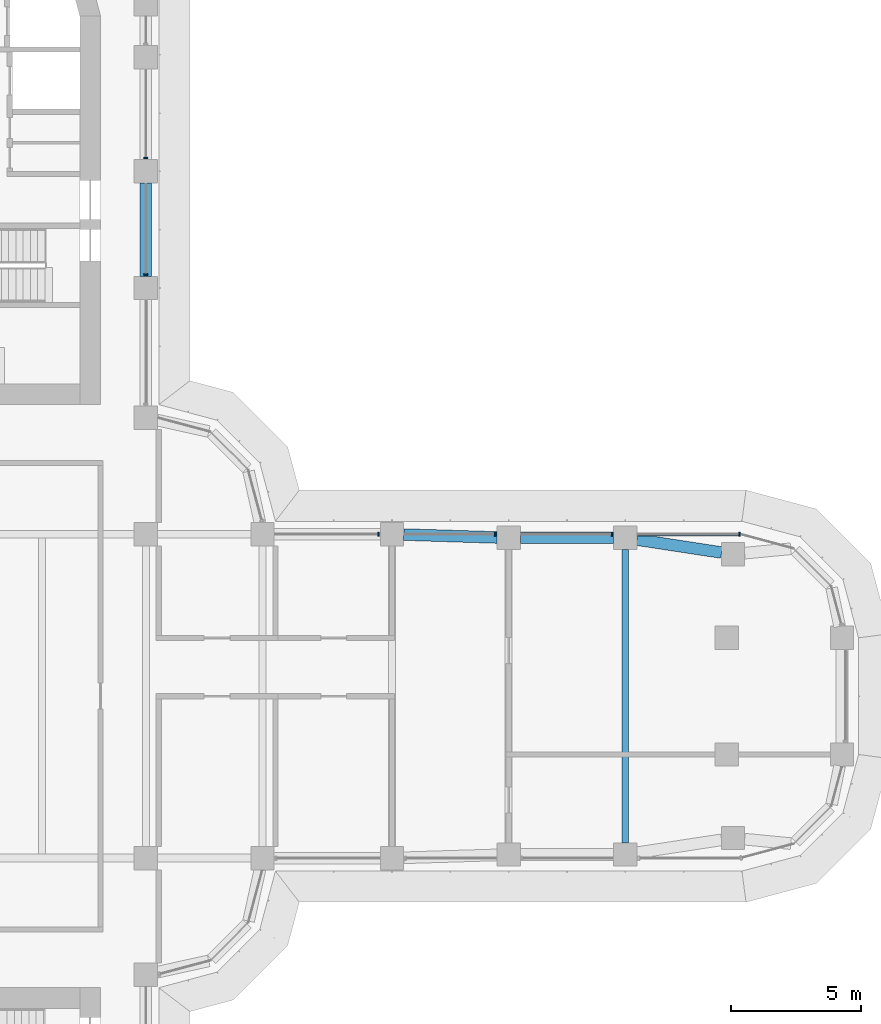
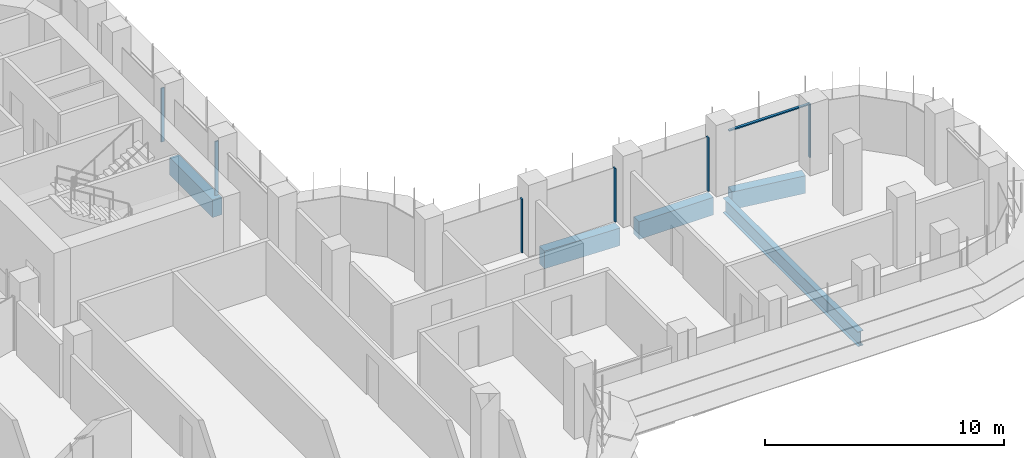
# One storey, part 9 of 23: 7 members, 5 beams, 2 elements without a shape of their own.
"""IFC4 building model written with IfcOpenShell, lengths in metres."""

from ifc_helpers import new_model, si_unit, direction, frame, origin, origin_2d, place, context, subcontext, project, spatial, polyline, rectangle, i_section, outline, extrude, source, transform, mapped, material, material_profile, profile_set, type_object, element, aggregate, save


model = new_model("IFC4")

# Units and contexts
model_context = context("Model", 3, precision=1e-05, world=origin(), true_north=direction((0.0, 1.0)))
body_context = subcontext(model_context, "Body", "Model", "MODEL_VIEW")
ifc_project = project(units=[si_unit("LENGTHUNIT", "METRE"), si_unit("AREAUNIT", "SQUARE_METRE"), si_unit("VOLUMEUNIT", "CUBIC_METRE"), si_unit("PLANEANGLEUNIT", "RADIAN"), si_unit("MASSUNIT", "GRAM", prefix="KILO")], contexts=[model_context])

# Site, building, storey
site_placement = place(None, origin())
site = spatial("IfcSite", under=ifc_project, at=site_placement, CompositionType="ELEMENT")
building_placement = place(site_placement, origin())
building = spatial("IfcBuilding", under=site, at=building_placement, Name="Zarbagh Exchange Tower", CompositionType="ELEMENT")
storey_placement = place(building_placement, frame((0.0, 0.0, 90.39990234375)))
storey = spatial("IfcBuildingStorey", under=building, at=storey_placement, Name="L20", CompositionType="ELEMENT", Elevation=90.39990234375)

# Beams
ifc_material_1 = material(Name="Steel ASTM A992 Gr 50", Category="steel")
ifc_material_profile_1 = material_profile(ifc_material_1, i_section(OverallWidth=0.2666015625, OverallDepth=0.7568359375, WebThickness=0.013916015625, FlangeThickness=0.019287109375, at=origin_2d()), Name="W30X108")
ifc_profile_set_1 = profile_set([ifc_material_profile_1], Name="Steel ASTM A992 Gr 50")
beam_type_1 = type_object("IfcBeamType", Name="Floor beam W30X108", PredefinedType="BEAM", material=ifc_profile_set_1)
beam_1_placement = place(storey_placement, frame((24.75, -5.659912109375, -0.5283203125), z_axis=(0.0, 1.0, 0.0), x_axis=(-1.0, 0.0, 0.0)))
element("IfcBeam", 1, at=beam_1_placement, inside=storey, type_object=beam_type_1, Name="Steel floor beam", PredefinedType="BEAM", context=body_context, shape_type="SweptSolid", body=[
    extrude(i_section(OverallWidth=0.2666015625, OverallDepth=0.7568359375, WebThickness=0.013916015625, FlangeThickness=0.019287109375, at=origin_2d()), origin(), (0.0, 0.0, 1.0), 11.31982421875),
])
ifc_material_2 = material(Name="Concrete C60/75", Category="concrete")
ifc_material_profile_2 = material_profile(ifc_material_2, rectangle(XDim=0.449951171875, YDim=0.89990234375, at=origin_2d()), Name="RC spandrel beam 450 x 900 C60/75")
ifc_profile_set_2 = profile_set([ifc_material_profile_2], Name="Concrete C60/75")
beam_type_2 = type_object("IfcBeamType", Name="RC spandrel beam 450 x 900 C60/75", PredefinedType="SPANDREL", material=ifc_profile_set_2)
beam_2_placement = place(storey_placement, frame((6.25, 19.800048828125, -0.599853515625), z_axis=(0.0, -1.0, 0.0), x_axis=(1.0, 0.0, 0.0)))
element("IfcBeam", 2, at=beam_2_placement, inside=storey, type_object=beam_type_2, Name="RC spandrel beam", PredefinedType="SPANDREL", context=body_context, shape_type="SweptSolid", body=[
    extrude(rectangle(XDim=0.449951171875, YDim=0.89990234375, at=origin_2d()), origin(), (0.0, 0.0, 1.0), 3.60009765625),
])
beam_3_placement = place(storey_placement, frame((16.19970703125, 6.236083984375, -0.599853515625), z_axis=(0.999516035224, -0.031107801747, 0.0), x_axis=(0.031107801747, 0.999516035224, 0.0)))
element("IfcBeam", 3, at=beam_3_placement, inside=storey, type_object=beam_type_2, Name="RC spandrel beam", PredefinedType="SPANDREL", context=body_context, shape_type="SweptSolid", body=[
    extrude(rectangle(XDim=0.449951171875, YDim=0.89990234375, at=origin_2d()), origin(), (0.0, 0.0, 1.0), 3.602294921875),
])
beam_4_placement = place(storey_placement, frame((20.699951171875, 6.110107421875, -0.599853515625), z_axis=(1.0, 0.0, 0.0), x_axis=(0.0, 1.0, 0.0)))
element("IfcBeam", 4, at=beam_4_placement, inside=storey, type_object=beam_type_2, Name="RC spandrel beam", PredefinedType="SPANDREL", context=body_context, shape_type="SweptSolid", body=[
    extrude(rectangle(XDim=0.449951171875, YDim=0.89990234375, at=origin_2d()), origin(), (0.0, 0.0, 1.0), 3.60009765625),
])
beam_5_placement = place(storey_placement, frame((25.19482421875, 6.0419921875, -0.599853515625), z_axis=(0.988543505948, -0.150936201252, 0.0), x_axis=(0.150936201252, 0.988543505948, 0.0)))
element("IfcBeam", 5, at=beam_5_placement, inside=storey, type_object=beam_type_2, Name="RC spandrel beam", PredefinedType="SPANDREL", context=body_context, shape_type="SweptSolid", body=[
    extrude(rectangle(XDim=0.449951171875, YDim=0.89990234375, at=origin_2d()), origin(), (0.0, 0.0, 1.0), 3.30615234375),
])

# Curtain wall, members
ifc_material_3 = material(Name="Anodised aluminium frame and glazing", Category="aluminium")
curtain_wall_type = type_object("IfcCurtainWallType", Name="CWA Ribbon glazing, lower zones", PredefinedType="NOTDEFINED", material=ifc_material_3)
curtain_wall_1_placement = place(storey_placement, origin())
curtain_wall_1 = element("IfcCurtainWall", 6, at=curtain_wall_1_placement, inside=storey, type_object=curtain_wall_type, Name="CWA16 curtain wall", PredefinedType="NOTDEFINED")
ifc_material_4 = material(Name="Anodised aluminium frame", Category="aluminium")
member_type_1 = type_object("IfcMemberType", Name="MUA Mullion, anodised aluminium frame", PredefinedType="MULLION", material=ifc_material_4)
shared_shape_1 = source(origin(), body_context, "Body", "SweptSolid", [
    extrude(outline(polyline([(0.0, -0.080078125), (0.06005859375, -0.080078125), (0.06005859375, 0.080078125), (0.0, 0.080078125), (0.0, -0.080078125)])), origin(), (0.0, 0.0, 1.0), 2.75),
])
placement = place(storey_placement, origin())
member_1 = element("IfcMember", 7, at=placement, type_object=member_type_1, Name="CWA16 mullion 1.1", PredefinedType="MULLION", context=body_context, shape_type="MappedRepresentation", body=[
    mapped(shared_shape_1, transform((29.18408203125, 6.25, 0.0), x_axis=(-1.0, 0.0, 0.0), y_axis=(0.0, -1.0, 0.0), z_axis=(0.0, 0.0, 1.0))),
])
member_2 = element("IfcMember", 8, at=placement, type_object=member_type_1, Name="CWA16 mullion 2.1", PredefinedType="MULLION", context=body_context, shape_type="MappedRepresentation", body=[
    mapped(shared_shape_1, transform((24.260009765625, 6.25, 0.0), x_axis=(-1.0, 0.0, 0.0), y_axis=(0.0, -1.0, 0.0), z_axis=(0.0, 0.0, 1.0))),
])
member_3 = element("IfcMember", 9, at=placement, type_object=member_type_1, Name="CWA16 mullion 3.1", PredefinedType="MULLION", context=body_context, shape_type="MappedRepresentation", body=[
    mapped(shared_shape_1, transform((19.760009765625, 6.25, 0.0), x_axis=(-1.0, 0.0, 0.0), y_axis=(0.0, -1.0, 0.0), z_axis=(0.0, 0.0, 1.0))),
])
member_4 = element("IfcMember", 10, at=placement, type_object=member_type_1, Name="CWA16 mullion 4.1", PredefinedType="MULLION", context=body_context, shape_type="MappedRepresentation", body=[
    mapped(shared_shape_1, transform((15.260009765625, 6.25, 0.0), x_axis=(-1.0, 0.0, 0.0), y_axis=(0.0, -1.0, 0.0), z_axis=(0.0, 0.0, 1.0))),
])

curtain_wall_2_placement = place(storey_placement, origin())
curtain_wall_2 = element("IfcCurtainWall", 11, at=curtain_wall_2_placement, inside=storey, type_object=curtain_wall_type, Name="CWA20 curtain wall", PredefinedType="NOTDEFINED")
member_5 = element("IfcMember", 12, at=placement, type_object=member_type_1, Name="CWA20 mullion 2.1", PredefinedType="MULLION", context=body_context, shape_type="MappedRepresentation", body=[
    mapped(shared_shape_1, transform((6.25, 16.239990234375, 0.0), x_axis=(0.0, 1.0, 0.0), y_axis=(-1.0, 0.0, 0.0), z_axis=(0.0, 0.0, 1.0))),
])
member_6 = element("IfcMember", 13, at=placement, type_object=member_type_1, Name="CWA20 mullion 3.1", PredefinedType="MULLION", context=body_context, shape_type="MappedRepresentation", body=[
    mapped(shared_shape_1, transform((6.25, 20.739990234375, 0.0), x_axis=(0.0, 1.0, 0.0), y_axis=(-1.0, 0.0, 0.0), z_axis=(0.0, 0.0, 1.0))),
])
aggregate(curtain_wall_2, [member_5, member_6])

# Member
member_type_2 = type_object("IfcMemberType", Name="TRA Transom, anodised aluminium frame", PredefinedType="USERDEFINED", material=ifc_material_4)
shared_shape_2 = source(origin(), body_context, "Body", "SweptSolid", [
    extrude(outline(polyline([(-0.06005859375, -0.06005859375), (0.0, -0.06005859375), (0.0, 0.06005859375), (-0.06005859375, 0.06005859375), (-0.06005859375, -0.06005859375)])), origin(), (0.0, 0.0, 1.0), 3.88427734375),
])
member_7 = element("IfcMember", 14, at=placement, type_object=member_type_2, Name="CWA16 transom 1.1", ObjectType="TRANSOM", PredefinedType="USERDEFINED", context=body_context, shape_type="MappedRepresentation", body=[
    mapped(shared_shape_2, transform((29.124267578125, 6.25, 2.75), x_axis=(0.0, 0.0, 1.0), y_axis=(0.0, 1.0, 0.0), z_axis=(-1.0, 0.0, 0.0))),
])

aggregate(curtain_wall_1, [member_1, member_7, member_2, member_3, member_4])

save(model, "model.ifc")
